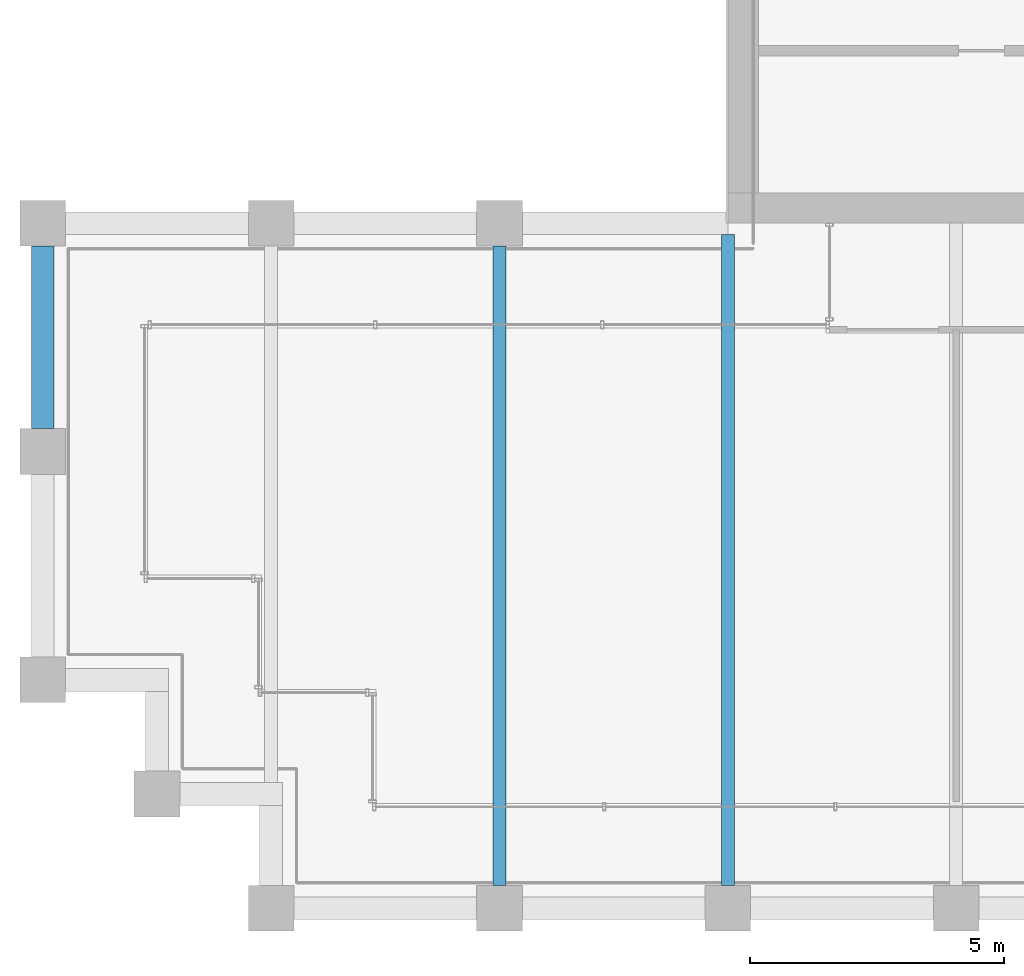
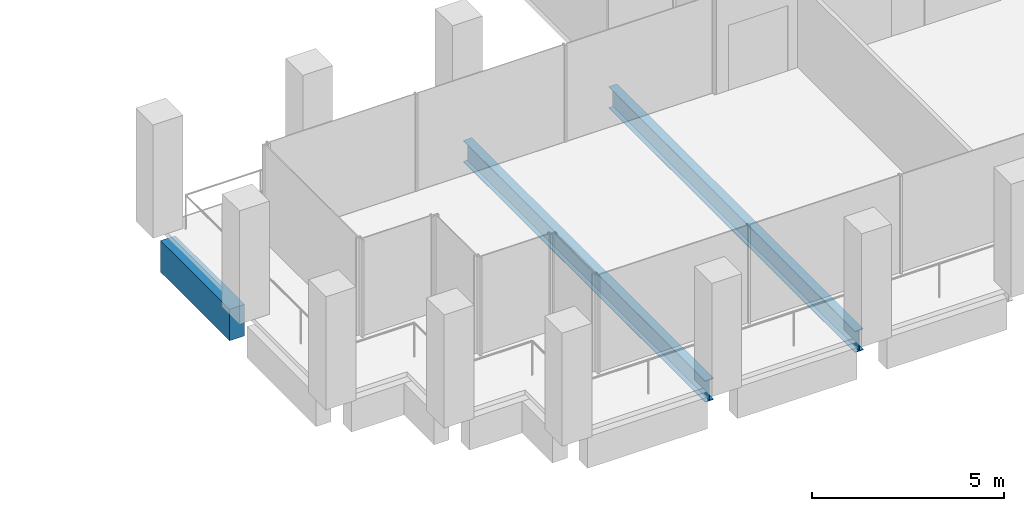
# One storey, part 4 of 40: 3 beams.
"""IFC4 building model written with IfcOpenShell, lengths in metres."""

from ifc_helpers import new_model, si_unit, direction, frame, origin, origin_2d, place, context, subcontext, project, spatial, rectangle, i_section, extrude, material, material_profile, profile_set, type_object, element, save


model = new_model("IFC4")

# Units and contexts
model_context = context("Model", 3, precision=1e-05, world=origin(), true_north=direction((0.0, 1.0)))
body_context = subcontext(model_context, "Body", "Model", "MODEL_VIEW")
ifc_project = project(units=[si_unit("LENGTHUNIT", "METRE"), si_unit("AREAUNIT", "SQUARE_METRE"), si_unit("VOLUMEUNIT", "CUBIC_METRE"), si_unit("PLANEANGLEUNIT", "RADIAN"), si_unit("MASSUNIT", "GRAM", prefix="KILO")], contexts=[model_context])

# Site, building, storey
site_placement = place(None, origin())
site = spatial("IfcSite", under=ifc_project, at=site_placement, CompositionType="ELEMENT")
building_placement = place(site_placement, origin())
building = spatial("IfcBuilding", under=site, at=building_placement, Name="Altepetl Exchange Towers", CompositionType="ELEMENT")
storey_placement = place(building_placement, frame((0.0, 0.0, 158.199951171875)))
storey = spatial("IfcBuildingStorey", under=building, at=storey_placement, Name="L39", CompositionType="ELEMENT", Elevation=158.199951171875)

# Beams
ifc_material_1 = material(Name="Steel S355", Category="steel")
ifc_material_profile_1 = material_profile(ifc_material_1, i_section(OverallWidth=0.25390625, OverallDepth=0.68408203125, WebThickness=0.012451171875, FlangeThickness=0.018798828125, at=origin_2d()), Name="W27X94")
ifc_profile_set_1 = profile_set([ifc_material_profile_1], Name="Steel S355")
beam_type_1 = type_object("IfcBeamType", Name="Floor beam W27X94", PredefinedType="BEAM", material=ifc_profile_set_1)
beam_1_placement = place(storey_placement, frame((36.0, 27.449951171875, -0.491943359375), z_axis=(0.0, 1.0, 0.0), x_axis=(-1.0, 0.0, 0.0)))
element("IfcBeam", 1, at=beam_1_placement, inside=storey, type_object=beam_type_1, Name="bm:A:L39:013", PredefinedType="BEAM", context=body_context, shape_type="SweptSolid", body=[
    extrude(i_section(OverallWidth=0.25390625, OverallDepth=0.68408203125, WebThickness=0.012451171875, FlangeThickness=0.018798828125, at=origin_2d()), origin(), (0.0, 0.0, 1.0), 12.60009765625),
])
beam_2_placement = place(storey_placement, frame((40.5, 27.449951171875, -0.491943359375), z_axis=(0.0, 1.0, 0.0), x_axis=(-1.0, 0.0, 0.0)))
element("IfcBeam", 2, at=beam_2_placement, inside=storey, type_object=beam_type_1, Name="bm:A:L39:014", PredefinedType="BEAM", context=body_context, shape_type="SweptSolid", body=[
    extrude(i_section(OverallWidth=0.25390625, OverallDepth=0.68408203125, WebThickness=0.012451171875, FlangeThickness=0.018798828125, at=origin_2d()), origin(), (0.0, 0.0, 1.0), 12.824951171875),
])
ifc_material_2 = material(Name="Concrete C50/60 precast with cantera blanca facing", Category="concrete")
ifc_material_profile_2 = material_profile(ifc_material_2, rectangle(XDim=0.449951171875, YDim=1.0, at=origin_2d()), Name="450 x 1000")
ifc_profile_set_2 = profile_set([ifc_material_profile_2], Name="Concrete C50/60 precast with cantera blanca facing")
beam_type_2 = type_object("IfcBeamType", Name="Spandrel beam 450x1000 cantera blanca", PredefinedType="SPANDREL", material=ifc_profile_set_2)
beam_3_placement = place(storey_placement, frame((27.0, 40.050048828125, -0.64990234375), z_axis=(0.0, -1.0, 0.0), x_axis=(1.0, 0.0, 0.0)))
element("IfcBeam", 3, at=beam_3_placement, inside=storey, type_object=beam_type_2, Name="sp:A:L39:036", PredefinedType="SPANDREL", context=body_context, shape_type="SweptSolid", body=[
    extrude(rectangle(XDim=0.449951171875, YDim=1.0, at=origin_2d()), origin(), (0.0, 0.0, 1.0), 3.60009765625),
])

save(model, "model.ifc")
